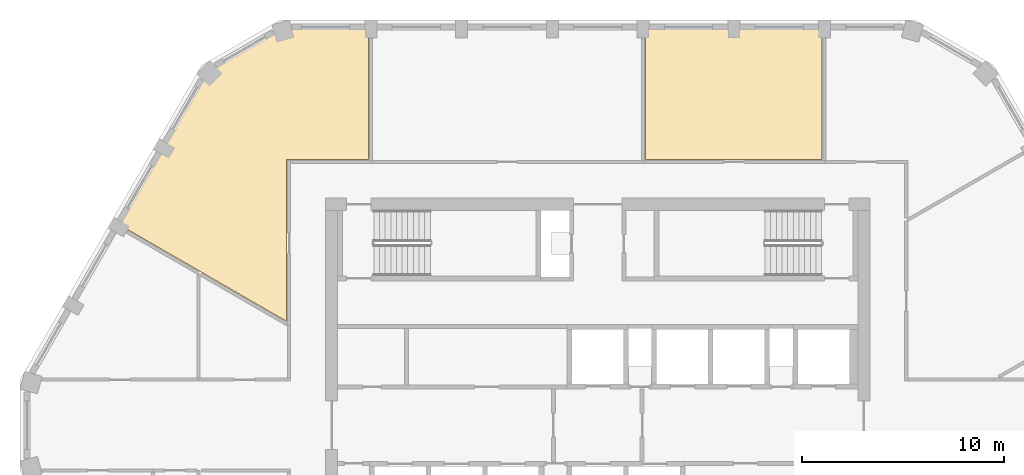
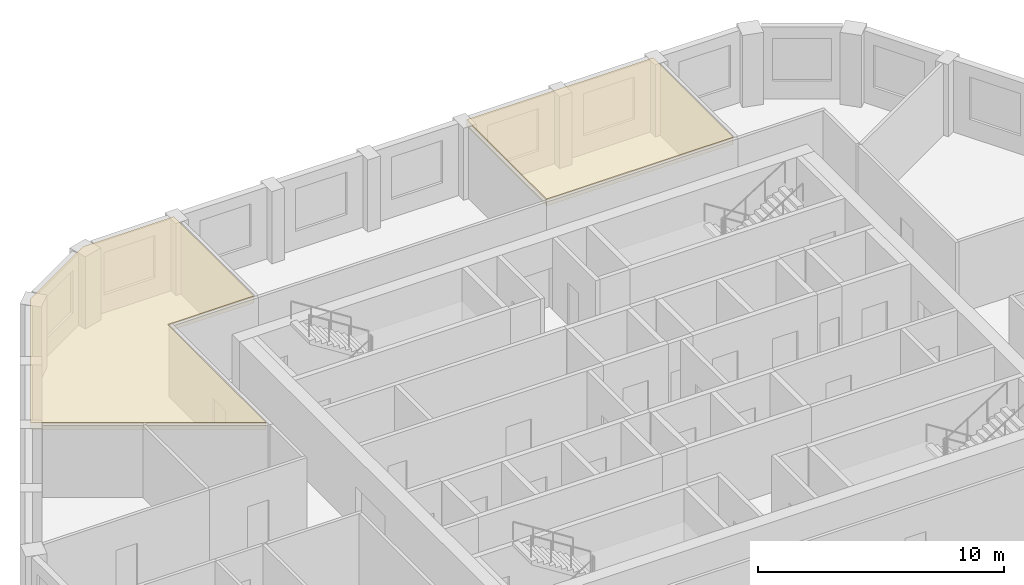
# One storey, part 10 of 10: 2 coverings.
"""IFC4 building model written with IfcOpenShell, lengths in metres."""

import ifcopenshell
import ifcopenshell.guid

model = None  # the IFC model being written
_history = None  # IfcOwnerHistory: only IFC2X3 demands one
_inside = {}  # id of a spatial element -> (the spatial element, [elements in it])
_under = {}  # id of a project, library or spatial element -> (it, [spatial elements below it])
_declared = {}  # id of a project -> (the project, [libraries it declares])
_typed = {}  # id of a type object -> (the type object, [elements of that type])
_made_of = {}  # id of a material, layer set ... -> (it, [elements and type objects made of it])


def new_model(schema):
    """Start an empty IFC model of exactly this schema.

    Asked for "IFC4X3", IfcOpenShell would pick the latest addendum, in which some entities
    have other attributes; the version numbers below select the first issue.
    IFC2X3 requires an IfcOwnerHistory on every rooted entity: one is made here for all.
    """
    global model, _history
    if schema == "IFC4X3":
        model = ifcopenshell.file(schema_version=(4, 3, 0, 0))
    else:
        model = ifcopenshell.file(schema=schema)
    _inside.clear()
    _under.clear()
    _declared.clear()
    _typed.clear()
    _made_of.clear()
    _history = None
    if model.schema == "IFC2X3":
        org = make("IfcOrganization", Name="unknown")
        user = make(
            "IfcPersonAndOrganization",
            ThePerson=make("IfcPerson", FamilyName="unknown"),
            TheOrganization=org,
        )
        app = make(
            "IfcApplication",
            ApplicationDeveloper=org,
            Version="unknown",
            ApplicationFullName="unknown",
            ApplicationIdentifier="unknown",
        )
        _history = make(
            "IfcOwnerHistory",
            OwningUser=user,
            OwningApplication=app,
            ChangeAction="ADDED",
            CreationDate=0,
        )
    return model


def make(cls, **values):
    """One entity of the class cls with the attributes given. An attribute that is None is left unset."""
    return model.create_entity(
        cls, **{name: value for name, value in values.items() if value is not None}
    )


def rooted(cls, **values):
    """An entity with a GlobalId (a new one), such as an element, a storey or a relation."""
    return make(cls, GlobalId=ifcopenshell.guid.new(), OwnerHistory=_history, **values)


def si_unit(unit_type, name, prefix=None):
    """IfcSIUnit, for example si_unit("LENGTHUNIT", "METRE", prefix="MILLI")."""
    return make("IfcSIUnit", UnitType=unit_type, Prefix=prefix, Name=name)


def assignment(units):
    """IfcUnitAssignment: the units of a project."""
    return None if units is None else make("IfcUnitAssignment", Units=units)


def point(xyz):
    """IfcCartesianPoint."""
    return None if xyz is None else make("IfcCartesianPoint", Coordinates=xyz)


def direction(xyz):
    """IfcDirection."""
    return None if xyz is None else make("IfcDirection", DirectionRatios=xyz)


def frame(location, z_axis=None, x_axis=None):
    """IfcAxis2Placement3D, a coordinate frame: its origin and axes. An axis left out is left unset."""
    return make(
        "IfcAxis2Placement3D",
        Location=point(location),
        Axis=direction(z_axis),
        RefDirection=direction(x_axis),
    )


def origin():
    """The frame at (0, 0, 0) with its axes left unset."""
    return frame((0.0, 0.0, 0.0))


def place(relative_to, where):
    """IfcLocalPlacement: puts the frame where relative to a parent placement (None: the world)."""
    return make(
        "IfcLocalPlacement", PlacementRelTo=relative_to, RelativePlacement=where
    )


def context(
    kind, dimensions, precision=None, world=None, true_north=None, identifier=None
):
    """IfcGeometricRepresentationContext, for example the 3D "Model" context."""
    return make(
        "IfcGeometricRepresentationContext",
        ContextIdentifier=identifier,
        ContextType=kind,
        CoordinateSpaceDimension=dimensions,
        Precision=precision,
        WorldCoordinateSystem=world,
        TrueNorth=true_north,
    )


def subcontext(parent, identifier, kind, view, scale=None):
    """IfcGeometricRepresentationSubContext, for example "Body" below "Model"."""
    return make(
        "IfcGeometricRepresentationSubContext",
        ContextIdentifier=identifier,
        ContextType=kind,
        ParentContext=parent,
        TargetScale=scale,
        TargetView=view,
    )


def project(units=None, contexts=None):
    """IfcProject with its units and contexts."""
    return rooted(
        "IfcProject",
        Name="project",
        RepresentationContexts=contexts,
        UnitsInContext=assignment(units),
    )


def spatial(cls, under=None, at=None, **own):
    """A site, building, storey or space (cls), placed at a placement, below another one or the project."""
    s = rooted(cls, ObjectPlacement=at, **own)
    if under is not None:
        _under.setdefault(under.id(), (under, []))[1].append(s)
    return s


def polyline(points):
    """IfcPolyline through the points."""
    return make("IfcPolyline", Points=[point(p) for p in points])


def outline(outer, holes=None, kind="AREA"):
    """IfcArbitraryClosedProfileDef: a profile drawn as a closed curve; with holes, ...WithVoids."""
    if holes is None:
        return make("IfcArbitraryClosedProfileDef", ProfileType=kind, OuterCurve=outer)
    return make(
        "IfcArbitraryProfileDefWithVoids",
        ProfileType=kind,
        OuterCurve=outer,
        InnerCurves=holes,
    )


def extrude(swept, where, along, depth):
    """IfcExtrudedAreaSolid: the profile swept, set in the frame where, extruded along a direction by depth."""
    return make(
        "IfcExtrudedAreaSolid",
        SweptArea=swept,
        Position=where,
        ExtrudedDirection=direction(along),
        Depth=depth,
    )


def shape(context_of_items, identifier, shape_type, items):
    """IfcShapeRepresentation: the items that make up one representation, for example the "Body"."""
    return make(
        "IfcShapeRepresentation",
        ContextOfItems=context_of_items,
        RepresentationIdentifier=identifier,
        RepresentationType=shape_type,
        Items=items,
    )


def material(Name=None, Category=None):
    """IfcMaterial."""
    return make("IfcMaterial", Name=Name, Category=Category)


def layer(
    of_material, thickness, ventilated=None, Name=None, Category=None, Priority=None
):
    """IfcMaterialLayer: one layer of a wall or slab, of a material (None: an air gap)."""
    return make(
        "IfcMaterialLayer",
        Material=of_material,
        LayerThickness=thickness,
        IsVentilated=ventilated,
        Name=Name,
        Category=Category,
        Priority=Priority,
    )


def layer_set(layers, Name=None):
    """IfcMaterialLayerSet."""
    return make("IfcMaterialLayerSet", MaterialLayers=layers, LayerSetName=Name)


def made_of(thing, what):
    """Note that an element or type object is made of a material, layer set ...; save() writes the relation."""
    if what is not None:
        _made_of.setdefault(what.id(), (what, []))[1].append(thing)
    return thing


def type_object(cls, material=None, **own):
    """A type object (cls), such as IfcWallType, which elements share."""
    return made_of(rooted(cls, **own), material)


def element(
    cls,
    number,
    at=None,
    inside=None,
    cuts=None,
    type_object=None,
    material=None,
    context=None,
    identifier="Body",
    shape_type=None,
    held_by="IfcProductDefinitionShape",
    body=None,
    shapes=None,
    **own,
):
    """One element of the class cls, such as IfcWall. Its Tag is "e" and its number.

    at: its placement. inside: the storey or other place that contains it. cuts: it is an
    opening in that element (IfcRelVoidsElement). A single representation is given by context,
    identifier, shape_type and body (its items); several are given by shapes. held_by: the class
    of the entity that holds the representations. save() writes the other relations.
    """
    e = rooted(cls, Tag="e%d" % number, ObjectPlacement=at, **own)
    if body is not None:
        shapes = [shape(context, identifier, shape_type, body)]
    if shapes is not None:
        e.Representation = make(held_by, Representations=shapes)
    if inside is not None:
        _inside.setdefault(inside.id(), (inside, []))[1].append(e)
    if cuts is not None:
        rooted(
            "IfcRelVoidsElement", RelatingBuildingElement=cuts, RelatedOpeningElement=e
        )
    if type_object is not None:
        _typed.setdefault(type_object.id(), (type_object, []))[1].append(e)
    return made_of(e, material)


def aggregate(whole, parts):
    """IfcRelAggregates: a whole, such as a stair, and the parts it consists of."""
    return rooted("IfcRelAggregates", RelatingObject=whole, RelatedObjects=parts)


def save(model, path):
    """Write the relations noted so far, then the file.

    IfcRelAggregates (storeys below a building ...), IfcRelContainedInSpatialStructure (elements
    in a storey), IfcRelDefinesByType, IfcRelAssociatesMaterial and IfcRelDeclares: one each for
    every whole, place, type object, material and project.
    """
    for whole, parts in _under.values():
        aggregate(whole, parts)
    for where, things in _inside.values():
        rooted(
            "IfcRelContainedInSpatialStructure",
            RelatedElements=things,
            RelatingStructure=where,
        )
    for kind, things in _typed.values():
        rooted("IfcRelDefinesByType", RelatedObjects=things, RelatingType=kind)
    for what, things in _made_of.values():
        rooted("IfcRelAssociatesMaterial", RelatedObjects=things, RelatingMaterial=what)
    for by, libraries in _declared.values():
        rooted("IfcRelDeclares", RelatingContext=by, RelatedDefinitions=libraries)
    model.write(path)


model = new_model("IFC4")

# Units and contexts
model_context = context("Model", 3, precision=1e-05, world=origin(), true_north=direction((0.0, 1.0)))
body_context = subcontext(model_context, "Body", "Model", "MODEL_VIEW")
ifc_project = project(units=[si_unit("LENGTHUNIT", "METRE"), si_unit("AREAUNIT", "SQUARE_METRE"), si_unit("VOLUMEUNIT", "CUBIC_METRE"), si_unit("PLANEANGLEUNIT", "RADIAN"), si_unit("MASSUNIT", "GRAM", prefix="KILO")], contexts=[model_context])

# Site, building, storey
site_placement = place(None, origin())
site = spatial("IfcSite", under=ifc_project, at=site_placement, CompositionType="ELEMENT")
building_placement = place(site_placement, origin())
building = spatial("IfcBuilding", under=site, at=building_placement, Name="Dhurran Vertical Campus", CompositionType="ELEMENT")
storey_placement = place(building_placement, frame((0.0, 0.0, 302.10009765625)))
storey = spatial("IfcBuildingStorey", under=building, at=storey_placement, Name="L75", CompositionType="ELEMENT", Elevation=302.10009765625)

# Coverings
ifc_material = material(Name="Mineral fibre ceiling tiles on suspended grid")
ifc_layer = layer(ifc_material, 0.35009765625)
ifc_layer_set = layer_set([ifc_layer], Name="Mineral fibre ceiling tiles on suspended grid")
covering_type = type_object("IfcCoveringType", Name="fl-CE-350 suspended ceiling", PredefinedType="CEILING", material=ifc_layer_set)
covering_1_placement = place(storey_placement, frame((0.0, 0.0, 3.224853515625)))
element("IfcCovering", 1, at=covering_1_placement, inside=storey, type_object=covering_type, Name="Ceiling 75-08", PredefinedType="CEILING", context=body_context, shape_type="SweptSolid", body=[
    extrude(outline(polyline([(-23.722900390625, 9.93798828125), (-19.339111328125, 17.531005859375), (-15.637939453125, 19.66796875), (-11.3701171875, 19.66796875), (-11.3701171875, 13.169921875), (-15.419921875, 13.169921875), (-15.419921875, 5.14404296875), (-23.722900390625, 9.93798828125)])), origin(), (0.0, 0.0, 1.0), 0.35009765625),
])
covering_2_placement = place(storey_placement, frame((0.0, 0.0, 3.224853515625)))
element("IfcCovering", 2, at=covering_2_placement, inside=storey, type_object=covering_type, Name="Ceiling 75-13", PredefinedType="CEILING", context=body_context, shape_type="SweptSolid", body=[
    extrude(outline(polyline([(2.3701171875, 19.66796875), (11.1298828125, 19.66796875), (11.1298828125, 13.169921875), (2.3701171875, 13.169921875), (2.3701171875, 19.66796875)])), origin(), (0.0, 0.0, 1.0), 0.35009765625),
])

save(model, "model.ifc")
